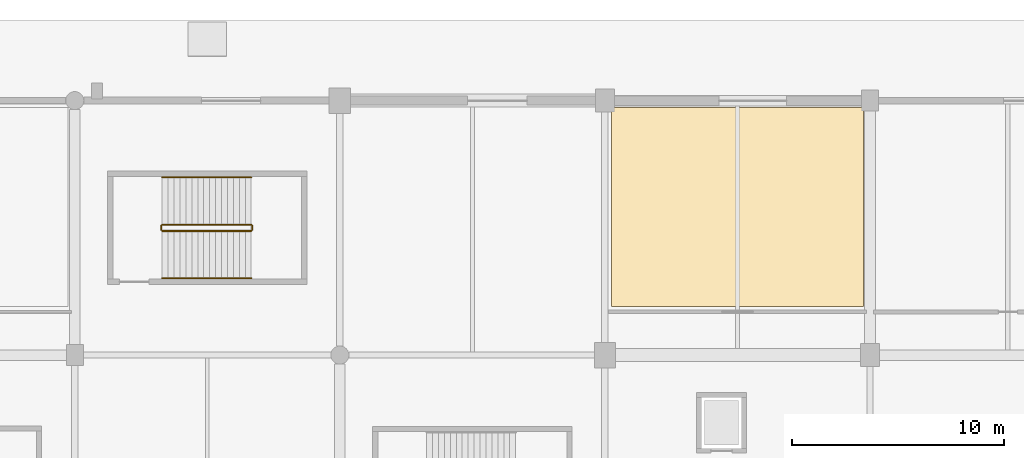
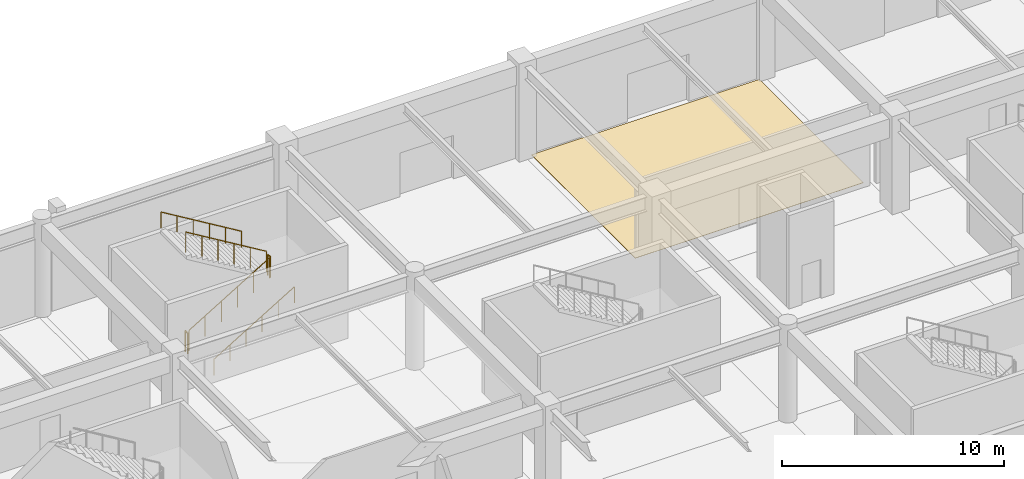
# One storey, part 65 of 69: 6 railings, 1 covering.
"""IFC4 building model written with IfcOpenShell, lengths in metres."""

from ifc_helpers import new_model, si_unit, direction, frame, origin, origin_2d, place, context, subcontext, project, spatial, polyline, circle, outline, extrude, material, layer, layer_set, type_object, element, save


model = new_model("IFC4")

# Units and contexts
model_context = context("Model", 3, precision=1e-05, world=origin(), true_north=direction((0.0, 1.0)))
body_context = subcontext(model_context, "Body", "Model", "MODEL_VIEW")
ifc_project = project(units=[si_unit("LENGTHUNIT", "METRE"), si_unit("AREAUNIT", "SQUARE_METRE"), si_unit("VOLUMEUNIT", "CUBIC_METRE"), si_unit("PLANEANGLEUNIT", "RADIAN"), si_unit("MASSUNIT", "GRAM", prefix="KILO")], contexts=[model_context])

# Site, building, storey
site_placement = place(None, origin())
site = spatial("IfcSite", under=ifc_project, at=site_placement, CompositionType="ELEMENT")
building_placement = place(site_placement, origin())
building = spatial("IfcBuilding", under=site, at=building_placement, Name="Kazenohara Klinker Stadium", CompositionType="ELEMENT")
storey_placement = place(building_placement, origin())
storey = spatial("IfcBuildingStorey", under=building, at=storey_placement, Name="L00", CompositionType="ELEMENT", Elevation=0.0)

# Covering
ifc_material_1 = material(Name="Cushioned EPDM sports rubber flooring", Category="rubber")
ifc_layer_1 = layer(ifc_material_1, 0.014892578125)
ifc_layer_set_1 = layer_set([ifc_layer_1], Name="Cushioned EPDM sports rubber flooring")
covering_type = type_object("IfcCoveringType", Name="COV-FLR-02", PredefinedType="FLOORING", material=ifc_layer_set_1)
covering_placement = place(storey_placement, origin())
element("IfcCovering", 1, at=covering_placement, inside=storey, type_object=covering_type, Name="Interior floor finish FL02 Supporter Merchandising Retail Shop L00-0713A", PredefinedType="FLOORING", context=body_context, shape_type="SweptSolid", body=[
    extrude(outline(polyline([(86.81005859375, 158.280029296875), (98.68994140625, 158.280029296875), (98.68994140625, 167.669921875), (86.81005859375, 167.669921875), (86.81005859375, 158.280029296875)])), origin(), (0.0, 0.0, 1.0), 0.014892578125),
])

# Railings
ifc_material_2 = material(Name="Brushed stainless steel 304 handrail", Category="steel")
ifc_layer_2 = layer(ifc_material_2, 0.050048828125)
ifc_layer_set_2 = layer_set([ifc_layer_2], Name="Brushed stainless steel 304 handrail")
railing_type_1 = type_object("IfcRailingType", Name="RL-HND-900", PredefinedType="HANDRAIL", material=ifc_layer_set_2)
railing_1_placement = place(storey_placement, frame((65.6201171875, 159.6201171875, 0.168701171875)))
element("IfcRailing", 2, at=railing_1_placement, inside=storey, type_object=railing_type_1, Name="L00 ST15 stair handrail 1", PredefinedType="HANDRAIL", context=body_context, shape_type="SweptSolid", body=[
    extrude(circle(Radius=0.02392578125, at=origin_2d()), frame((0.0, 0.0, 0.8759765625), z_axis=(0.856476492594, 0.0, 0.516186030065), x_axis=(0.0, 1.0, 0.0)), (0.0, 0.0, 1.0), 4.90380859375),
    extrude(circle(Radius=0.02099609375, at=origin_2d()), origin(), (0.0, 0.0, 1.0), 0.851806640625),
    extrude(circle(Radius=0.02099609375, at=origin_2d()), frame((0.840087890625, 0.0, 0.50634765625)), (0.0, 0.0, 1.0), 0.851806640625),
    extrude(circle(Radius=0.02099609375, at=origin_2d()), frame((1.679931640625, 0.0, 1.012451171875)), (0.0, 0.0, 1.0), 0.851806640625),
    extrude(circle(Radius=0.02099609375, at=origin_2d()), frame((2.52001953125, 0.0, 1.518798828125)), (0.0, 0.0, 1.0), 0.851806640625),
    extrude(circle(Radius=0.02099609375, at=origin_2d()), frame((3.35986328125, 0.0, 2.02490234375)), (0.0, 0.0, 1.0), 0.851806640625),
    extrude(circle(Radius=0.02099609375, at=origin_2d()), frame((4.199951171875, 0.0, 2.53125)), (0.0, 0.0, 1.0), 0.851806640625),
])
railing_2_placement = place(storey_placement, frame((69.820068359375, 164.3798828125, 2.86865234375)))
element("IfcRailing", 3, at=railing_2_placement, inside=storey, type_object=railing_type_1, Name="L00 ST15 stair handrail 2", PredefinedType="HANDRAIL", context=body_context, shape_type="SweptSolid", body=[
    extrude(circle(Radius=0.02392578125, at=origin_2d()), frame((0.0, 0.0, 0.8759765625), z_axis=(-0.856476492594, 0.0, 0.516186030065), x_axis=(0.0, -1.0, 0.0)), (0.0, 0.0, 1.0), 4.90380859375),
    extrude(circle(Radius=0.02099609375, at=origin_2d()), origin(), (0.0, 0.0, 1.0), 0.851806640625),
    extrude(circle(Radius=0.02099609375, at=origin_2d()), frame((-0.840087890625, 0.0, 0.50634765625)), (0.0, 0.0, 1.0), 0.851806640625),
    extrude(circle(Radius=0.02099609375, at=origin_2d()), frame((-1.679931640625, 0.0, 1.012451171875)), (0.0, 0.0, 1.0), 0.851806640625),
    extrude(circle(Radius=0.02099609375, at=origin_2d()), frame((-2.52001953125, 0.0, 1.518798828125)), (0.0, 0.0, 1.0), 0.851806640625),
    extrude(circle(Radius=0.02099609375, at=origin_2d()), frame((-3.35986328125, 0.0, 2.02490234375)), (0.0, 0.0, 1.0), 0.851806640625),
    extrude(circle(Radius=0.02099609375, at=origin_2d()), frame((-4.199951171875, 0.0, 2.53125)), (0.0, 0.0, 1.0), 0.851806640625),
])
ifc_material_3 = material(Name="Painted steel stairwell guardrail", Category="steel")
ifc_layer_3 = layer(ifc_material_3, 0.06005859375)
ifc_layer_set_3 = layer_set([ifc_layer_3], Name="Painted steel stairwell guardrail")
railing_type_2 = type_object("IfcRailingType", Name="RL-STG-1120", PredefinedType="GUARDRAIL", material=ifc_layer_set_3)
railing_3_placement = place(storey_placement, frame((65.6201171875, 161.85009765625, 0.168701171875)))
element("IfcRailing", 4, at=railing_3_placement, inside=storey, type_object=railing_type_2, Name="L00 ST15 stair guard 1", PredefinedType="GUARDRAIL", context=body_context, shape_type="SweptSolid", body=[
    extrude(circle(Radius=0.02392578125, at=origin_2d()), frame((0.0, 0.0, 1.1259765625), z_axis=(0.856476492594, 0.0, 0.516186030065), x_axis=(0.0, 1.0, 0.0)), (0.0, 0.0, 1.0), 4.90380859375),
    extrude(circle(Radius=0.02099609375, at=origin_2d()), origin(), (0.0, 0.0, 1.0), 1.101806640625),
    extrude(circle(Radius=0.02099609375, at=origin_2d()), frame((0.840087890625, 0.0, 0.50634765625)), (0.0, 0.0, 1.0), 1.101806640625),
    extrude(circle(Radius=0.02099609375, at=origin_2d()), frame((1.679931640625, 0.0, 1.012451171875)), (0.0, 0.0, 1.0), 1.101806640625),
    extrude(circle(Radius=0.02099609375, at=origin_2d()), frame((2.52001953125, 0.0, 1.518798828125)), (0.0, 0.0, 1.0), 1.101806640625),
    extrude(circle(Radius=0.02099609375, at=origin_2d()), frame((3.35986328125, 0.0, 2.02490234375)), (0.0, 0.0, 1.0), 1.101806640625),
    extrude(circle(Radius=0.02099609375, at=origin_2d()), frame((4.199951171875, 0.0, 2.53125)), (0.0, 0.0, 1.0), 1.101806640625),
])
railing_4_placement = place(storey_placement, frame((69.8701171875, 161.89990234375, 2.699951171875)))
element("IfcRailing", 5, at=railing_4_placement, inside=storey, type_object=railing_type_2, Name="L00 ST15 stair guard 2", PredefinedType="GUARDRAIL", context=body_context, shape_type="SweptSolid", body=[
    extrude(circle(Radius=0.02392578125, at=origin_2d()), frame((0.0, 0.0, 1.1259765625), z_axis=(0.0, 1.0, 0.0), x_axis=(-1.0, 0.0, 0.0)), (0.0, 0.0, 1.0), 0.2001953125),
    extrude(circle(Radius=0.02099609375, at=origin_2d()), origin(), (0.0, 0.0, 1.0), 1.101806640625),
    extrude(circle(Radius=0.02099609375, at=origin_2d()), frame((0.0, 0.2001953125, 0.0)), (0.0, 0.0, 1.0), 1.101806640625),
])
railing_5_placement = place(storey_placement, frame((69.820068359375, 162.14990234375, 2.86865234375)))
element("IfcRailing", 6, at=railing_5_placement, inside=storey, type_object=railing_type_2, Name="L00 ST15 stair guard 3", PredefinedType="GUARDRAIL", context=body_context, shape_type="SweptSolid", body=[
    extrude(circle(Radius=0.02392578125, at=origin_2d()), frame((0.0, 0.0, 1.1259765625), z_axis=(-0.856476492594, 0.0, 0.516186030065), x_axis=(0.0, -1.0, 0.0)), (0.0, 0.0, 1.0), 4.90380859375),
    extrude(circle(Radius=0.02099609375, at=origin_2d()), origin(), (0.0, 0.0, 1.0), 1.101806640625),
    extrude(circle(Radius=0.02099609375, at=origin_2d()), frame((-0.840087890625, 0.0, 0.50634765625)), (0.0, 0.0, 1.0), 1.101806640625),
    extrude(circle(Radius=0.02099609375, at=origin_2d()), frame((-1.679931640625, 0.0, 1.012451171875)), (0.0, 0.0, 1.0), 1.101806640625),
    extrude(circle(Radius=0.02099609375, at=origin_2d()), frame((-2.52001953125, 0.0, 1.518798828125)), (0.0, 0.0, 1.0), 1.101806640625),
    extrude(circle(Radius=0.02099609375, at=origin_2d()), frame((-3.35986328125, 0.0, 2.02490234375)), (0.0, 0.0, 1.0), 1.101806640625),
    extrude(circle(Radius=0.02099609375, at=origin_2d()), frame((-4.199951171875, 0.0, 2.53125)), (0.0, 0.0, 1.0), 1.101806640625),
])
railing_6_placement = place(storey_placement, frame((65.570068359375, 161.89990234375, 0.0)))
element("IfcRailing", 7, at=railing_6_placement, inside=storey, type_object=railing_type_2, Name="L00 ST15 stair guard 4", PredefinedType="GUARDRAIL", context=body_context, shape_type="SweptSolid", body=[
    extrude(circle(Radius=0.02392578125, at=origin_2d()), frame((0.0, 0.0, 1.1259765625), z_axis=(0.0, 1.0, 0.0), x_axis=(-1.0, 0.0, 0.0)), (0.0, 0.0, 1.0), 0.2001953125),
    extrude(circle(Radius=0.02099609375, at=origin_2d()), origin(), (0.0, 0.0, 1.0), 1.101806640625),
    extrude(circle(Radius=0.02099609375, at=origin_2d()), frame((0.0, 0.2001953125, 0.0)), (0.0, 0.0, 1.0), 1.101806640625),
])

save(model, "model.ifc")
